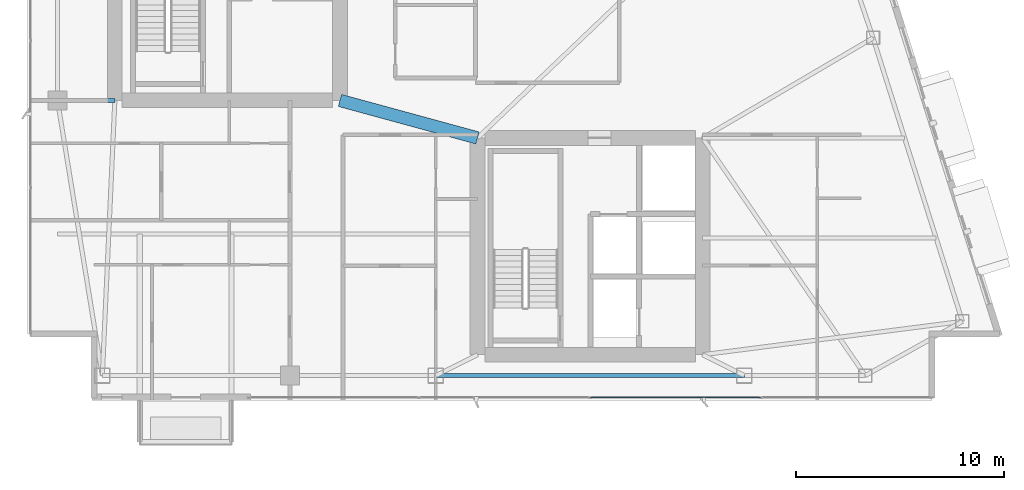
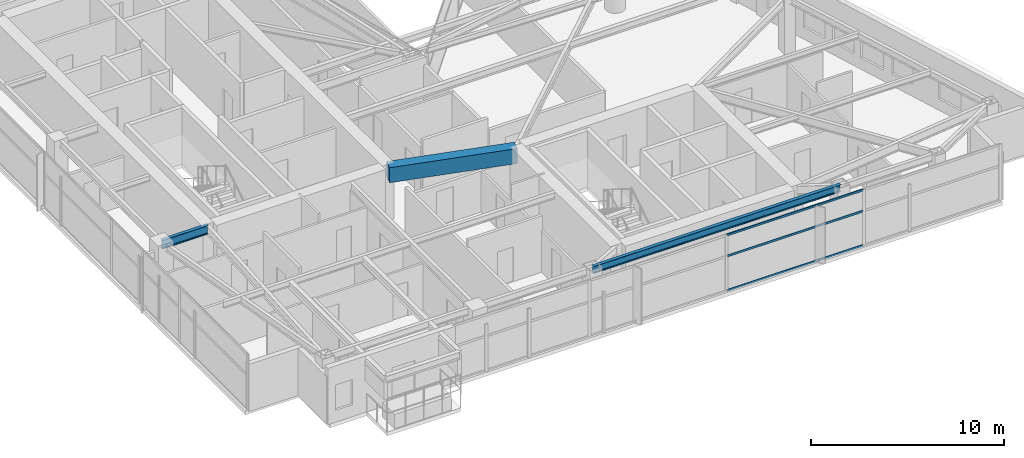
# One storey, part 8 of 29: 3 beams, 3 members, 1 element without a shape of its own.
"""IFC4 building model written with IfcOpenShell, lengths in metres."""

from ifc_helpers import new_model, si_unit, direction, frame, origin, origin_2d, place, context, subcontext, project, spatial, rectangle, hollow_rectangle, i_section, extrude, material, layer, layer_set, material_profile, profile_set, type_object, element, aggregate, save


model = new_model("IFC4")

# Units and contexts
model_context = context("Model", 3, precision=1e-05, world=origin(), true_north=direction((0.0, 1.0)))
body_context = subcontext(model_context, "Body", "Model", "MODEL_VIEW")
ifc_project = project(units=[si_unit("LENGTHUNIT", "METRE"), si_unit("AREAUNIT", "SQUARE_METRE"), si_unit("VOLUMEUNIT", "CUBIC_METRE"), si_unit("PLANEANGLEUNIT", "RADIAN"), si_unit("MASSUNIT", "GRAM", prefix="KILO")], contexts=[model_context])

# Site, building, storey
site_placement = place(None, origin())
site = spatial("IfcSite", under=ifc_project, at=site_placement, CompositionType="ELEMENT")
building_placement = place(site_placement, origin())
building = spatial("IfcBuilding", under=site, at=building_placement, Name="Calvorn Quay Hotel", CompositionType="ELEMENT")
storey_placement = place(building_placement, frame((0.0, 0.0, 255.199951171875)))
storey = spatial("IfcBuildingStorey", under=building, at=storey_placement, Name="L63", CompositionType="ELEMENT", Elevation=255.199951171875)

# Beams
ifc_material_1 = material(Name="Steel Q355B", Category="steel")
ifc_material_profile_1 = material_profile(ifc_material_1, i_section(OverallWidth=0.199951171875, OverallDepth=0.550048828125, WebThickness=0.010009765625, FlangeThickness=0.01611328125, FilletRadius=0.01806640625, at=origin_2d()), Name="HN550x200x10x16")
ifc_profile_set_1 = profile_set([ifc_material_profile_1], Name="Steel Q355B")
beam_type_1 = type_object("IfcBeamType", Name="BM-GIRD-UPP", PredefinedType="BEAM", material=ifc_profile_set_1)
beam_1_placement = place(storey_placement, frame((1.449951171875, 16.800048828125, 3.26513671875), z_axis=(1.0, 0.0, 0.0), x_axis=(0.0, 1.0, 0.0)))
element("IfcBeam", 1, at=beam_1_placement, inside=storey, type_object=beam_type_1, Name="Beam BG-L63-W1", PredefinedType="BEAM", context=body_context, shape_type="SweptSolid", body=[
    extrude(i_section(OverallWidth=0.199951171875, OverallDepth=0.550048828125, WebThickness=0.010009765625, FlangeThickness=0.01611328125, FilletRadius=0.01806640625, at=origin_2d()), origin(), (0.0, 0.0, 1.0), 2.75),
])
ifc_material_2 = material(Name="Concrete C45", Category="concrete")
ifc_material_profile_2 = material_profile(ifc_material_2, rectangle(XDim=0.60009765625, YDim=0.949951171875, at=origin_2d()), Name="RCB600x950")
ifc_profile_set_2 = profile_set([ifc_material_profile_2], Name="Concrete C45")
beam_type_2 = type_object("IfcBeamType", Name="BM-RC-LINK-600x950", PredefinedType="BEAM", material=ifc_profile_set_2)
beam_2_placement = place(storey_placement, frame((15.0, 16.800048828125, 3.06494140625), z_axis=(0.964762997686, -0.263120425462, 0.0), x_axis=(0.263120425462, 0.964762997686, 0.0)))
element("IfcBeam", 2, at=beam_2_placement, inside=storey, type_object=beam_type_2, Name="Beam BCL-L63-01", PredefinedType="BEAM", context=body_context, shape_type="SweptSolid", body=[
    extrude(rectangle(XDim=0.60009765625, YDim=0.949951171875, at=origin_2d()), origin(), (0.0, 0.0, 1.0), 6.841064453125),
])
ifc_material_3 = material(Name="Steel Q355B", Category="steel")
ifc_material_profile_3 = material_profile(ifc_material_3, i_section(OverallWidth=0.199951171875, OverallDepth=0.449951171875, WebThickness=0.009033203125, FlangeThickness=0.013916015625, FilletRadius=0.01611328125, at=origin_2d()), Name="HN450x200x9x14")
ifc_profile_set_3 = profile_set([ifc_material_profile_3], Name="Steel Q355B")
beam_type_3 = type_object("IfcBeamType", Name="BM-SPANDREL-Z3", PredefinedType="SPANDREL", material=ifc_profile_set_3)
beam_3_placement = place(storey_placement, frame((19.60009765625, 3.60009765625, 3.31494140625), z_axis=(1.0, 0.0, 0.0), x_axis=(0.0, 1.0, 0.0)))
element("IfcBeam", 3, at=beam_3_placement, inside=storey, type_object=beam_type_3, Name="Beam BSP-L63-S3", PredefinedType="SPANDREL", context=body_context, shape_type="SweptSolid", body=[
    extrude(i_section(OverallWidth=0.199951171875, OverallDepth=0.449951171875, WebThickness=0.009033203125, FlangeThickness=0.013916015625, FilletRadius=0.01611328125, at=origin_2d()), origin(), (0.0, 0.0, 1.0), 14.7998046875),
])

# Curtain wall, members
ifc_material_4 = material(Name="Champagne Bronze Anodised Aluminium and Low-E Glass", Category="aluminium")
ifc_layer = layer(ifc_material_4, 0.219970703125)
ifc_layer_set = layer_set([ifc_layer], Name="CW-SYS-Z4")
curtain_wall_type = type_object("IfcCurtainWallType", Name="CW-SYS-Z4", PredefinedType="NOTDEFINED", material=ifc_layer_set)
curtain_wall_placement = place(storey_placement, origin())
curtain_wall = element("IfcCurtainWall", 4, at=curtain_wall_placement, inside=storey, type_object=curtain_wall_type, Name="Tower South Waterfront Curtain Wall (L63)", PredefinedType="NOTDEFINED")
ifc_material_5 = material(Name="Champagne Bronze Anodised Aluminium 6063-T6", Category="aluminium")
ifc_material_profile_4 = material_profile(ifc_material_5, hollow_rectangle(XDim=0.054931640625, YDim=0.1298828125, WallThickness=0.003173828125, at=origin_2d()), Name="ALU-T130x55x3.2")
ifc_profile_set_4 = profile_set([ifc_material_profile_4], Name="Champagne Bronze Anodised Aluminium 6063-T6")
member_type = type_object("IfcMemberType", Name="CW-SYS-Z4-TRN", PredefinedType="USERDEFINED", material=ifc_profile_set_4)
member_1_placement = place(storey_placement, frame((27.030029296875, 2.550048828125, 0.030029296875), z_axis=(1.0, 0.0, 0.0), x_axis=(0.0, 1.0, 0.0)))
member_1 = element("IfcMember", 5, at=member_1_placement, type_object=member_type, Name="CW-L63-S transom 3.1", ObjectType="TRANSOM", PredefinedType="USERDEFINED", context=body_context, shape_type="SweptSolid", body=[
    extrude(hollow_rectangle(XDim=0.054931640625, YDim=0.1298828125, WallThickness=0.003173828125, at=origin_2d()), origin(), (0.0, 0.0, 1.0), 8.139892578125),
])
member_2_placement = place(storey_placement, frame((27.030029296875, 2.550048828125, 2.199951171875), z_axis=(1.0, 0.0, 0.0), x_axis=(0.0, 1.0, 0.0)))
member_2 = element("IfcMember", 6, at=member_2_placement, type_object=member_type, Name="CW-L63-S transom 3.2", ObjectType="TRANSOM", PredefinedType="USERDEFINED", context=body_context, shape_type="SweptSolid", body=[
    extrude(hollow_rectangle(XDim=0.054931640625, YDim=0.1298828125, WallThickness=0.003173828125, at=origin_2d()), origin(), (0.0, 0.0, 1.0), 8.139892578125),
])
member_3_placement = place(storey_placement, frame((27.030029296875, 2.550048828125, 3.530029296875), z_axis=(1.0, 0.0, 0.0), x_axis=(0.0, 1.0, 0.0)))
member_3 = element("IfcMember", 7, at=member_3_placement, type_object=member_type, Name="CW-L63-S transom 3.3", ObjectType="TRANSOM", PredefinedType="USERDEFINED", context=body_context, shape_type="SweptSolid", body=[
    extrude(hollow_rectangle(XDim=0.054931640625, YDim=0.1298828125, WallThickness=0.003173828125, at=origin_2d()), origin(), (0.0, 0.0, 1.0), 8.139892578125),
])
aggregate(curtain_wall, [member_1, member_2, member_3])

save(model, "model.ifc")
